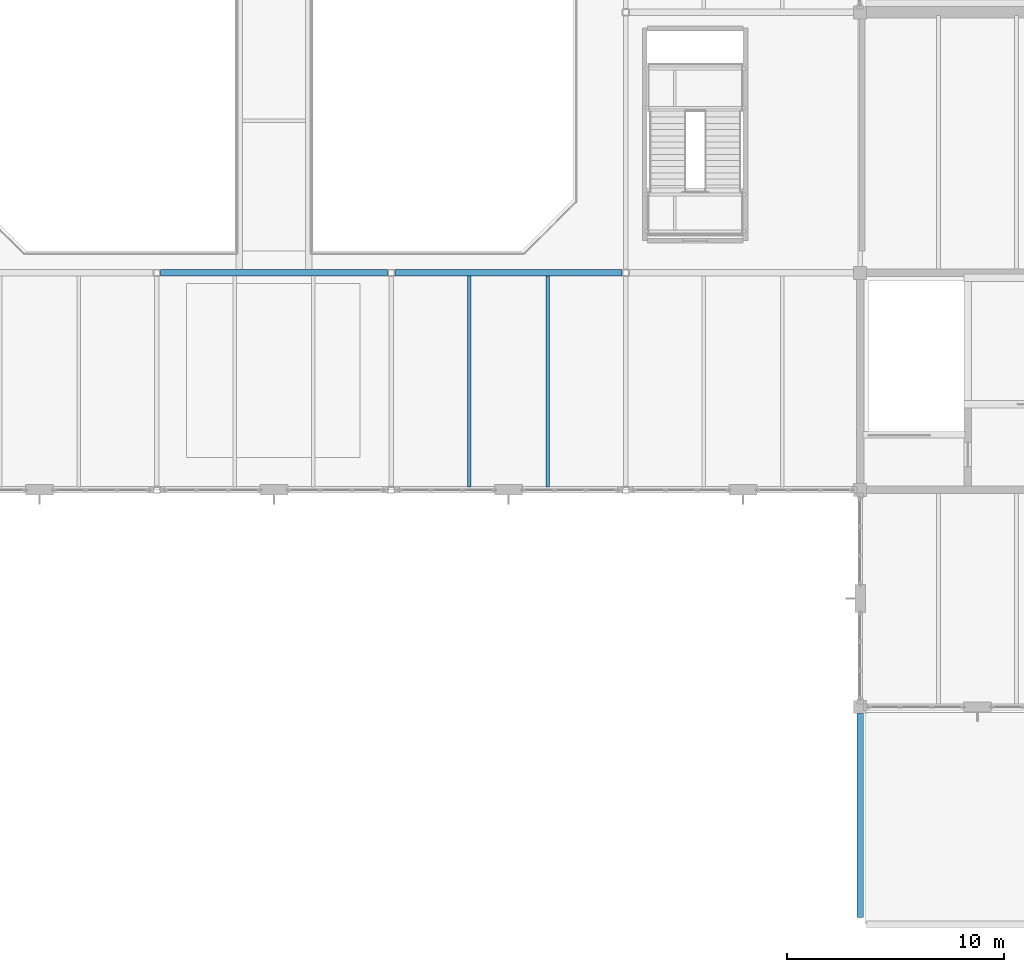
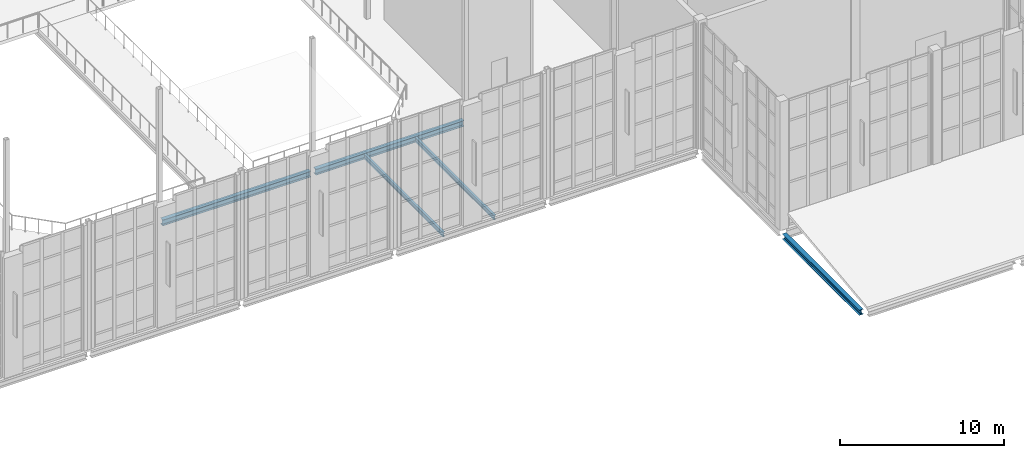
# One storey, part 32 of 100: 5 beams.
"""IFC4 building model written with IfcOpenShell, lengths in metres."""

from ifc_helpers import new_model, si_unit, direction, frame, origin, origin_2d, place, context, subcontext, project, spatial, i_section, extrude, material, material_profile, profile_set, type_object, element, save


model = new_model("IFC4")

# Units and contexts
model_context = context("Model", 3, precision=1e-05, world=origin(), true_north=direction((0.0, 1.0)))
body_context = subcontext(model_context, "Body", "Model", "MODEL_VIEW")
ifc_project = project(units=[si_unit("LENGTHUNIT", "METRE"), si_unit("AREAUNIT", "SQUARE_METRE"), si_unit("VOLUMEUNIT", "CUBIC_METRE"), si_unit("PLANEANGLEUNIT", "RADIAN"), si_unit("MASSUNIT", "GRAM", prefix="KILO")], contexts=[model_context])

# Site, building, storey
site_placement = place(None, origin())
site = spatial("IfcSite", under=ifc_project, at=site_placement, CompositionType="ELEMENT")
building_placement = place(site_placement, origin())
building = spatial("IfcBuilding", under=site, at=building_placement, Name="Tasgan Crest Museum", CompositionType="ELEMENT")
storey_placement = place(building_placement, frame((0.0, 0.0, 14.39990234375)))
storey = spatial("IfcBuildingStorey", under=building, at=storey_placement, Name="L03", CompositionType="ELEMENT", Elevation=14.39990234375)

# Beams
ifc_material_1 = material(Name="Steel S355J2", Category="steel")
ifc_material_profile_1 = material_profile(ifc_material_1, i_section(OverallWidth=0.300048828125, OverallDepth=0.389892578125, WebThickness=0.010986328125, FlangeThickness=0.01904296875, FilletRadius=0.027099609375, at=origin_2d()), Name="HEA 400")
ifc_profile_set_1 = profile_set([ifc_material_profile_1], Name="Steel S355J2")
beam_type_1 = type_object("IfcBeamType", Name="BM-G-HEA400", PredefinedType="BEAM", material=ifc_profile_set_1)
beam_1_placement = place(storey_placement, frame((108.0, 20.294921875, -0.474853515625), z_axis=(0.0, 1.0, 0.0), x_axis=(-1.0, 0.0, 0.0)))
element("IfcBeam", 1, at=beam_1_placement, inside=storey, type_object=beam_type_1, Name="East archive south step roof beam 11 20.0", PredefinedType="BEAM", context=body_context, shape_type="SweptSolid", body=[
    extrude(i_section(OverallWidth=0.300048828125, OverallDepth=0.389892578125, WebThickness=0.010986328125, FlangeThickness=0.01904296875, FilletRadius=0.027099609375, at=origin_2d()), origin(), (0.0, 0.0, 1.0), 9.41015625),
])
ifc_material_2 = material(Name="Steel S355J2", Category="steel")
ifc_material_profile_2 = material_profile(ifc_material_2, i_section(OverallWidth=0.300048828125, OverallDepth=0.43994140625, WebThickness=0.011474609375, FlangeThickness=0.02099609375, FilletRadius=0.027099609375, at=origin_2d()), Name="HEA 450")
ifc_profile_set_2 = profile_set([ifc_material_profile_2], Name="Steel S355J2")
beam_type_2 = type_object("IfcBeamType", Name="BM-G-HEA450", PredefinedType="BEAM", material=ifc_profile_set_2)
beam_2_placement = place(storey_placement, frame((75.773681640625, 50.0, -0.4599609375), z_axis=(1.0, 0.0, 0.0), x_axis=(0.0, 1.0, 0.0)))
element("IfcBeam", 2, at=beam_2_placement, inside=storey, type_object=beam_type_2, Name="Girder L03 F 75.6-86.4", PredefinedType="BEAM", context=body_context, shape_type="SweptSolid", body=[
    extrude(i_section(OverallWidth=0.300048828125, OverallDepth=0.43994140625, WebThickness=0.011474609375, FlangeThickness=0.02099609375, FilletRadius=0.027099609375, at=origin_2d()), origin(), (0.0, 0.0, 1.0), 10.45263671875),
])
beam_3_placement = place(storey_placement, frame((86.57373046875, 50.0, -0.4599609375), z_axis=(1.0, 0.0, 0.0), x_axis=(0.0, 1.0, 0.0)))
element("IfcBeam", 3, at=beam_3_placement, inside=storey, type_object=beam_type_2, Name="Girder L03 F 86.4-97.2", PredefinedType="BEAM", context=body_context, shape_type="SweptSolid", body=[
    extrude(i_section(OverallWidth=0.300048828125, OverallDepth=0.43994140625, WebThickness=0.011474609375, FlangeThickness=0.02099609375, FilletRadius=0.027099609375, at=origin_2d()), origin(), (0.0, 0.0, 1.0), 10.452392578125),
])
ifc_material_3 = material(Name="Steel S355J2", Category="steel")
ifc_material_profile_3 = material_profile(ifc_material_3, i_section(OverallWidth=0.159912109375, OverallDepth=0.330078125, WebThickness=0.007568359375, FlangeThickness=0.011474609375, FilletRadius=0.01806640625, at=origin_2d()), Name="IPE 330")
ifc_profile_set_3 = profile_set([ifc_material_profile_3], Name="Steel S355J2")
beam_type_3 = type_object("IfcBeamType", Name="BM-J-IPE330", PredefinedType="JOIST", material=ifc_profile_set_3)
for number, where, z_axis, x_axis, name in (
    (4, (90.0, 40.14501953125, -0.40478515625), (0.0, 1.0, 0.0), (-1.0, 0.0, 0.0), "Secondary joist L03 X=90.0 Y=40.0-50.0"),
    (5, (93.60009765625, 40.14501953125, -0.40478515625), (0.0, 1.0, 0.0), (-1.0, 0.0, 0.0), "Secondary joist L03 X=93.6 Y=40.0-50.0"),
):
    element("IfcBeam", number, at=place(storey_placement, frame(where, z_axis=z_axis, x_axis=x_axis)), inside=storey, type_object=beam_type_3, Name=name, PredefinedType="JOIST", context=body_context, shape_type="SweptSolid", body=[
        extrude(i_section(OverallWidth=0.159912109375, OverallDepth=0.330078125, WebThickness=0.007568359375, FlangeThickness=0.011474609375, FilletRadius=0.01806640625, at=origin_2d()), origin(), (0.0, 0.0, 1.0), 9.7099609375),
    ])

save(model, "model.ifc")
